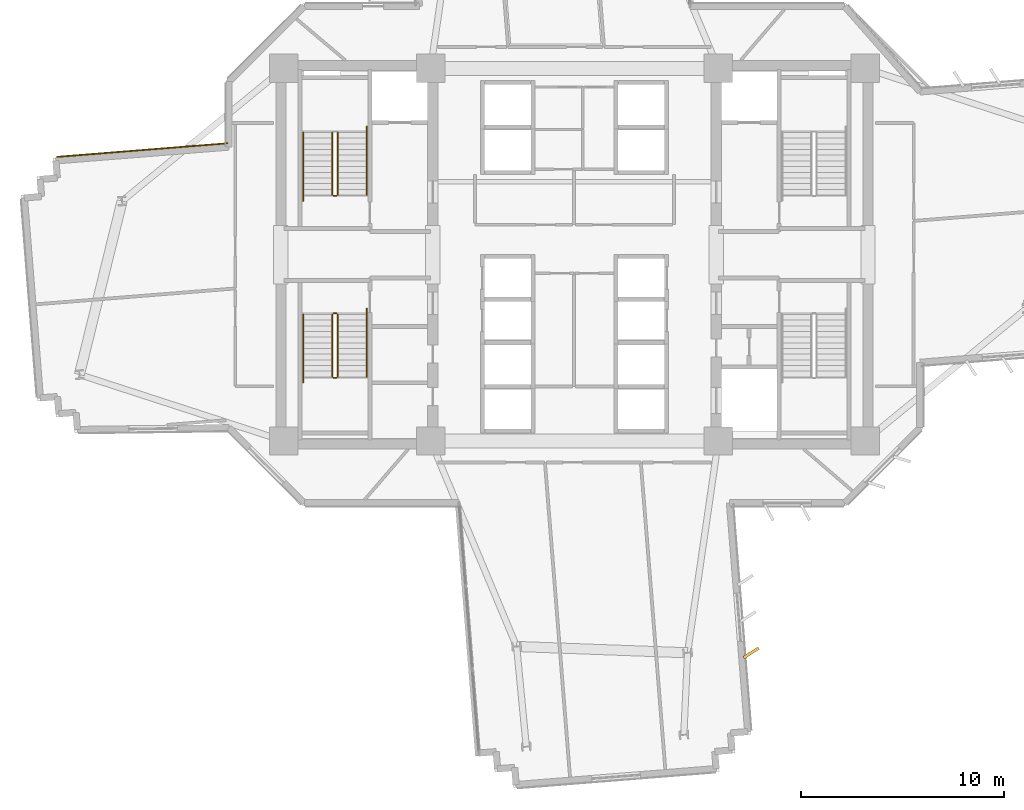
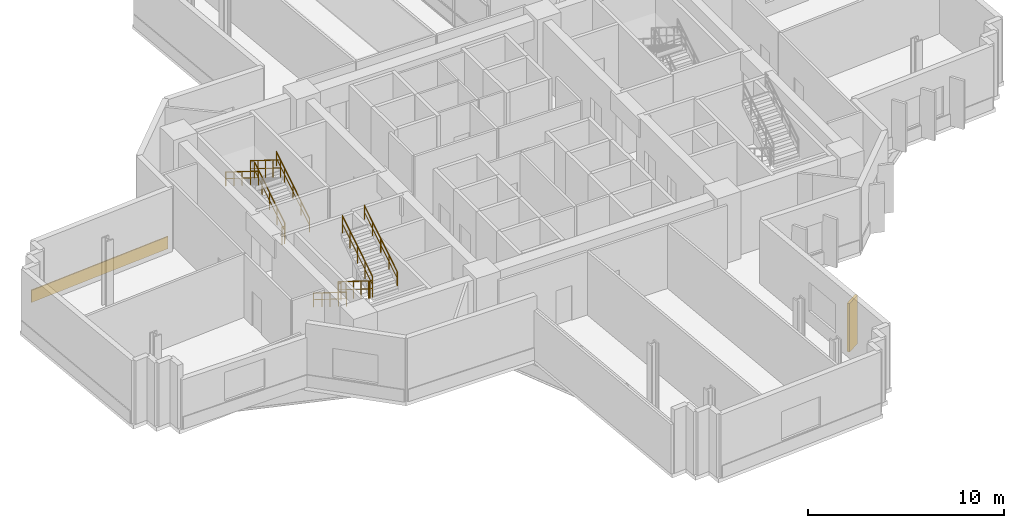
# One storey, part 12 of 15: 11 railings, 2 coverings.
"""IFC4 building model written with IfcOpenShell, lengths in metres."""

from ifc_helpers import new_model, si_unit, direction, frame, origin, origin_2d, place, context, subcontext, project, spatial, rectangle, extrude, source, transform, mapped, material, layer, layer_set, type_object, element, save


model = new_model("IFC4")

# Units and contexts
model_context = context("Model", 3, precision=1e-05, world=origin(), true_north=direction((0.0, 1.0)))
body_context = subcontext(model_context, "Body", "Model", "MODEL_VIEW")
ifc_project = project(units=[si_unit("LENGTHUNIT", "METRE"), si_unit("AREAUNIT", "SQUARE_METRE"), si_unit("VOLUMEUNIT", "CUBIC_METRE"), si_unit("PLANEANGLEUNIT", "RADIAN"), si_unit("MASSUNIT", "GRAM", prefix="KILO")], contexts=[model_context])

# Site, building, storey
site_placement = place(None, origin())
site = spatial("IfcSite", under=ifc_project, at=site_placement, CompositionType="ELEMENT")
building_placement = place(site_placement, origin())
building = spatial("IfcBuilding", under=site, at=building_placement, Name="Zahravan Cultural Tower", CompositionType="ELEMENT")
storey_placement = place(building_placement, frame((0.0, 0.0, 87.89990234375)))
storey = spatial("IfcBuildingStorey", under=building, at=storey_placement, Name="L19", CompositionType="ELEMENT", Elevation=87.89990234375)

# Railings
ifc_material_1 = material(Name="Steel ASTM A572 Grade 50", Category="steel")
railing_type_1 = type_object("IfcRailingType", Name="RL-STAIR-GRD1150", PredefinedType="BALUSTRADE", material=ifc_material_1)
railing_1_placement = place(storey_placement, frame((24.300048828125, 29.949951171875, 0.175048828125)))
element("IfcRailing", 1, at=railing_1_placement, inside=storey, type_object=railing_type_1, Name="L19 ST-W1 stair guard 1", PredefinedType="BALUSTRADE", context=body_context, shape_type="SweptSolid", body=[
    extrude(rectangle(XDim=0.05, YDim=0.05, at=origin_2d()), frame((0.0, 0.0, 1.0751953125), z_axis=(0.0, 0.847998304005, 0.529998940003), x_axis=(-1.0, 0.0, 0.0)), (0.0, 0.0, 1.0), 3.632080078125),
    extrude(rectangle(XDim=0.032, YDim=0.032, at=origin_2d()), frame((0.0, 0.0, 0.572021484375), z_axis=(0.0, 0.847998304005, 0.529998940003), x_axis=(-1.0, 0.0, 0.0)), (0.0, 0.0, 1.0), 3.632080078125),
    extrude(rectangle(XDim=0.04, YDim=0.04, at=origin_2d()), origin(), (0.0, 0.0, 1.0), 1.10009765625),
    extrude(rectangle(XDim=0.04, YDim=0.04, at=origin_2d()), frame((0.0, 0.77001953125, 0.481201171875)), (0.0, 0.0, 1.0), 1.10009765625),
    extrude(rectangle(XDim=0.04, YDim=0.04, at=origin_2d()), frame((0.0, 1.5400390625, 0.96240234375)), (0.0, 0.0, 1.0), 1.10009765625),
    extrude(rectangle(XDim=0.04, YDim=0.04, at=origin_2d()), frame((0.0, 2.31005859375, 1.44384765625)), (0.0, 0.0, 1.0), 1.10009765625),
    extrude(rectangle(XDim=0.04, YDim=0.04, at=origin_2d()), frame((0.0, 3.080078125, 1.925048828125)), (0.0, 0.0, 1.0), 1.10009765625),
])
railing_2_placement = place(storey_placement, frame((24.050048828125, 33.030029296875, 2.275146484375)))
element("IfcRailing", 2, at=railing_2_placement, inside=storey, type_object=railing_type_1, Name="L19 ST-W1 stair guard 3", PredefinedType="BALUSTRADE", context=body_context, shape_type="SweptSolid", body=[
    extrude(rectangle(XDim=0.05, YDim=0.05, at=origin_2d()), frame((0.0, 0.0, 1.0751953125), z_axis=(0.0, -0.847998304005, 0.529998940003), x_axis=(1.0, 0.0, 0.0)), (0.0, 0.0, 1.0), 3.632080078125),
    extrude(rectangle(XDim=0.032, YDim=0.032, at=origin_2d()), frame((0.0, 0.0, 0.572021484375), z_axis=(0.0, -0.847998304005, 0.529998940003), x_axis=(1.0, 0.0, 0.0)), (0.0, 0.0, 1.0), 3.632080078125),
    extrude(rectangle(XDim=0.04, YDim=0.04, at=origin_2d()), origin(), (0.0, 0.0, 1.0), 1.10009765625),
    extrude(rectangle(XDim=0.04, YDim=0.04, at=origin_2d()), frame((0.0, -0.77001953125, 0.481201171875)), (0.0, 0.0, 1.0), 1.10009765625),
    extrude(rectangle(XDim=0.04, YDim=0.04, at=origin_2d()), frame((0.0, -1.5400390625, 0.96240234375)), (0.0, 0.0, 1.0), 1.10009765625),
    extrude(rectangle(XDim=0.04, YDim=0.04, at=origin_2d()), frame((0.0, -2.31005859375, 1.44384765625)), (0.0, 0.0, 1.0), 1.10009765625),
    extrude(rectangle(XDim=0.04, YDim=0.04, at=origin_2d()), frame((0.0, -3.080078125, 1.925048828125)), (0.0, 0.0, 1.0), 1.10009765625),
])
railing_3_placement = place(storey_placement, frame((24.25, 29.89990234375, 0.0)))
element("IfcRailing", 3, at=railing_3_placement, inside=storey, type_object=railing_type_1, Name="L19 ST-W1 stair guard 4", PredefinedType="BALUSTRADE", context=body_context, shape_type="SweptSolid", body=[
    extrude(rectangle(XDim=0.05, YDim=0.05, at=origin_2d()), frame((0.0, 0.0, 1.0751953125), z_axis=(-1.0, 0.0, 0.0), x_axis=(0.0, -1.0, 0.0)), (0.0, 0.0, 1.0), 0.14990234375),
    extrude(rectangle(XDim=0.032, YDim=0.032, at=origin_2d()), frame((0.0, 0.0, 0.572021484375), z_axis=(-1.0, 0.0, 0.0), x_axis=(0.0, -1.0, 0.0)), (0.0, 0.0, 1.0), 0.14990234375),
    extrude(rectangle(XDim=0.04, YDim=0.04, at=origin_2d()), origin(), (0.0, 0.0, 1.0), 1.10009765625),
    extrude(rectangle(XDim=0.04, YDim=0.04, at=origin_2d()), frame((-0.14990234375, 0.0, 0.0)), (0.0, 0.0, 1.0), 1.10009765625),
])
railing_4_placement = place(storey_placement, frame((24.050048828125, 24.050048828125, 0.175048828125)))
element("IfcRailing", 4, at=railing_4_placement, inside=storey, type_object=railing_type_1, Name="L19 ST-W2 stair guard 1", PredefinedType="BALUSTRADE", context=body_context, shape_type="SweptSolid", body=[
    extrude(rectangle(XDim=0.05, YDim=0.05, at=origin_2d()), frame((0.0, 0.0, 1.0751953125), z_axis=(0.0, -0.847998304005, 0.529998940003), x_axis=(1.0, 0.0, 0.0)), (0.0, 0.0, 1.0), 3.632080078125),
    extrude(rectangle(XDim=0.032, YDim=0.032, at=origin_2d()), frame((0.0, 0.0, 0.572021484375), z_axis=(0.0, -0.847998304005, 0.529998940003), x_axis=(1.0, 0.0, 0.0)), (0.0, 0.0, 1.0), 3.632080078125),
    extrude(rectangle(XDim=0.04, YDim=0.04, at=origin_2d()), origin(), (0.0, 0.0, 1.0), 1.10009765625),
    extrude(rectangle(XDim=0.04, YDim=0.04, at=origin_2d()), frame((0.0, -0.77001953125, 0.481201171875)), (0.0, 0.0, 1.0), 1.10009765625),
    extrude(rectangle(XDim=0.04, YDim=0.04, at=origin_2d()), frame((0.0, -1.5400390625, 0.96240234375)), (0.0, 0.0, 1.0), 1.10009765625),
    extrude(rectangle(XDim=0.04, YDim=0.04, at=origin_2d()), frame((0.0, -2.31005859375, 1.44384765625)), (0.0, 0.0, 1.0), 1.10009765625),
    extrude(rectangle(XDim=0.04, YDim=0.04, at=origin_2d()), frame((0.0, -3.080078125, 1.925048828125)), (0.0, 0.0, 1.0), 1.10009765625),
])
railing_5_placement = place(storey_placement, frame((24.10009765625, 20.919921875, 2.10009765625)))
element("IfcRailing", 5, at=railing_5_placement, inside=storey, type_object=railing_type_1, Name="L19 ST-W2 stair guard 2", PredefinedType="BALUSTRADE", context=body_context, shape_type="SweptSolid", body=[
    extrude(rectangle(XDim=0.05, YDim=0.05, at=origin_2d()), frame((0.0, 0.0, 1.0751953125), z_axis=(1.0, 0.0, 0.0), x_axis=(0.0, 1.0, 0.0)), (0.0, 0.0, 1.0), 0.14990234375),
    extrude(rectangle(XDim=0.032, YDim=0.032, at=origin_2d()), frame((0.0, 0.0, 0.572021484375), z_axis=(1.0, 0.0, 0.0), x_axis=(0.0, 1.0, 0.0)), (0.0, 0.0, 1.0), 0.14990234375),
    extrude(rectangle(XDim=0.04, YDim=0.04, at=origin_2d()), origin(), (0.0, 0.0, 1.0), 1.10009765625),
    extrude(rectangle(XDim=0.04, YDim=0.04, at=origin_2d()), frame((0.14990234375, 0.0, 0.0)), (0.0, 0.0, 1.0), 1.10009765625),
])
railing_6_placement = place(storey_placement, frame((24.300048828125, 20.969970703125, 2.275146484375)))
element("IfcRailing", 6, at=railing_6_placement, inside=storey, type_object=railing_type_1, Name="L19 ST-W2 stair guard 3", PredefinedType="BALUSTRADE", context=body_context, shape_type="SweptSolid", body=[
    extrude(rectangle(XDim=0.05, YDim=0.05, at=origin_2d()), frame((0.0, 0.0, 1.0751953125), z_axis=(0.0, 0.847998304005, 0.529998940003), x_axis=(-1.0, 0.0, 0.0)), (0.0, 0.0, 1.0), 3.632080078125),
    extrude(rectangle(XDim=0.032, YDim=0.032, at=origin_2d()), frame((0.0, 0.0, 0.572021484375), z_axis=(0.0, 0.847998304005, 0.529998940003), x_axis=(-1.0, 0.0, 0.0)), (0.0, 0.0, 1.0), 3.632080078125),
    extrude(rectangle(XDim=0.04, YDim=0.04, at=origin_2d()), origin(), (0.0, 0.0, 1.0), 1.10009765625),
    extrude(rectangle(XDim=0.04, YDim=0.04, at=origin_2d()), frame((0.0, 0.77001953125, 0.481201171875)), (0.0, 0.0, 1.0), 1.10009765625),
    extrude(rectangle(XDim=0.04, YDim=0.04, at=origin_2d()), frame((0.0, 1.5400390625, 0.96240234375)), (0.0, 0.0, 1.0), 1.10009765625),
    extrude(rectangle(XDim=0.04, YDim=0.04, at=origin_2d()), frame((0.0, 2.31005859375, 1.44384765625)), (0.0, 0.0, 1.0), 1.10009765625),
    extrude(rectangle(XDim=0.04, YDim=0.04, at=origin_2d()), frame((0.0, 3.080078125, 1.925048828125)), (0.0, 0.0, 1.0), 1.10009765625),
])
railing_7_placement = place(storey_placement, frame((24.10009765625, 24.10009765625, 0.0)))
element("IfcRailing", 7, at=railing_7_placement, inside=storey, type_object=railing_type_1, Name="L19 ST-W2 stair guard 4", PredefinedType="BALUSTRADE", context=body_context, shape_type="SweptSolid", body=[
    extrude(rectangle(XDim=0.05, YDim=0.05, at=origin_2d()), frame((0.0, 0.0, 1.0751953125), z_axis=(1.0, 0.0, 0.0), x_axis=(0.0, 1.0, 0.0)), (0.0, 0.0, 1.0), 0.14990234375),
    extrude(rectangle(XDim=0.032, YDim=0.032, at=origin_2d()), frame((0.0, 0.0, 0.572021484375), z_axis=(1.0, 0.0, 0.0), x_axis=(0.0, 1.0, 0.0)), (0.0, 0.0, 1.0), 0.14990234375),
    extrude(rectangle(XDim=0.04, YDim=0.04, at=origin_2d()), origin(), (0.0, 0.0, 1.0), 1.10009765625),
    extrude(rectangle(XDim=0.04, YDim=0.04, at=origin_2d()), frame((0.14990234375, 0.0, 0.0)), (0.0, 0.0, 1.0), 1.10009765625),
])
railing_type_2 = type_object("IfcRailingType", Name="RL-STAIR-HR900", PredefinedType="HANDRAIL", material=ifc_material_1)
railing_8_placement = place(storey_placement, frame((25.75, 29.949951171875, 0.175048828125)))
element("IfcRailing", 8, at=railing_8_placement, inside=storey, type_object=railing_type_2, Name="L19 ST-W1 stair handrail 1", PredefinedType="HANDRAIL", context=body_context, shape_type="SweptSolid", body=[
    extrude(rectangle(XDim=0.05, YDim=0.05, at=origin_2d()), frame((0.0, 0.0, 0.875), z_axis=(0.0, 0.847994842521, 0.530004478338), x_axis=(-1.0, 0.0, 0.0)), (0.0, 0.0, 1.0), 3.96240234375),
    extrude(rectangle(XDim=0.032, YDim=0.032, at=origin_2d()), frame((0.0, 0.0, 0.468017578125), z_axis=(0.0, 0.847994842521, 0.530004478338), x_axis=(-1.0, 0.0, 0.0)), (0.0, 0.0, 1.0), 3.96240234375),
    extrude(rectangle(XDim=0.04, YDim=0.04, at=origin_2d()), origin(), (0.0, 0.0, 1.0), 0.89990234375),
    extrude(rectangle(XDim=0.04, YDim=0.04, at=origin_2d()), frame((0.0, 0.840087890625, 0.52490234375)), (0.0, 0.0, 1.0), 0.89990234375),
    extrude(rectangle(XDim=0.04, YDim=0.04, at=origin_2d()), frame((0.0, 1.68017578125, 1.050048828125)), (0.0, 0.0, 1.0), 0.89990234375),
    extrude(rectangle(XDim=0.04, YDim=0.04, at=origin_2d()), frame((0.0, 2.52001953125, 1.5751953125)), (0.0, 0.0, 1.0), 0.89990234375),
    extrude(rectangle(XDim=0.04, YDim=0.04, at=origin_2d()), frame((0.0, 3.360107421875, 2.10009765625)), (0.0, 0.0, 1.0), 0.89990234375),
])
railing_9_placement = place(storey_placement, frame((22.60009765625, 33.030029296875, 2.275146484375)))
element("IfcRailing", 9, at=railing_9_placement, inside=storey, type_object=railing_type_2, Name="L19 ST-W1 stair handrail 2", PredefinedType="HANDRAIL", context=body_context, shape_type="SweptSolid", body=[
    extrude(rectangle(XDim=0.05, YDim=0.05, at=origin_2d()), frame((0.0, 0.0, 0.875), z_axis=(0.0, -0.848022534174, 0.529960169762), x_axis=(1.0, 0.0, 0.0)), (0.0, 0.0, 1.0), 3.96240234375),
    extrude(rectangle(XDim=0.032, YDim=0.032, at=origin_2d()), frame((0.0, 0.0, 0.468017578125), z_axis=(0.0, -0.848022534174, 0.529960169762), x_axis=(1.0, 0.0, 0.0)), (0.0, 0.0, 1.0), 3.96240234375),
    extrude(rectangle(XDim=0.04, YDim=0.04, at=origin_2d()), origin(), (0.0, 0.0, 1.0), 0.89990234375),
    extrude(rectangle(XDim=0.04, YDim=0.04, at=origin_2d()), frame((0.0, -0.840087890625, 0.52490234375)), (0.0, 0.0, 1.0), 0.89990234375),
    extrude(rectangle(XDim=0.04, YDim=0.04, at=origin_2d()), frame((0.0, -1.68017578125, 1.0498046875)), (0.0, 0.0, 1.0), 0.89990234375),
    extrude(rectangle(XDim=0.04, YDim=0.04, at=origin_2d()), frame((0.0, -2.52001953125, 1.574951171875)), (0.0, 0.0, 1.0), 0.89990234375),
    extrude(rectangle(XDim=0.04, YDim=0.04, at=origin_2d()), frame((0.0, -3.360107421875, 2.099853515625)), (0.0, 0.0, 1.0), 0.89990234375),
])
railing_10_placement = place(storey_placement, frame((22.60009765625, 24.050048828125, 0.175048828125)))
element("IfcRailing", 10, at=railing_10_placement, inside=storey, type_object=railing_type_2, Name="L19 ST-W2 stair handrail 1", PredefinedType="HANDRAIL", context=body_context, shape_type="SweptSolid", body=[
    extrude(rectangle(XDim=0.05, YDim=0.05, at=origin_2d()), frame((0.0, 0.0, 0.875), z_axis=(0.0, -0.847994842521, 0.530004478338), x_axis=(1.0, 0.0, 0.0)), (0.0, 0.0, 1.0), 3.96240234375),
    extrude(rectangle(XDim=0.032, YDim=0.032, at=origin_2d()), frame((0.0, 0.0, 0.468017578125), z_axis=(0.0, -0.847994842521, 0.530004478338), x_axis=(1.0, 0.0, 0.0)), (0.0, 0.0, 1.0), 3.96240234375),
    extrude(rectangle(XDim=0.04, YDim=0.04, at=origin_2d()), origin(), (0.0, 0.0, 1.0), 0.89990234375),
    extrude(rectangle(XDim=0.04, YDim=0.04, at=origin_2d()), frame((0.0, -0.840087890625, 0.52490234375)), (0.0, 0.0, 1.0), 0.89990234375),
    extrude(rectangle(XDim=0.04, YDim=0.04, at=origin_2d()), frame((0.0, -1.68017578125, 1.050048828125)), (0.0, 0.0, 1.0), 0.89990234375),
    extrude(rectangle(XDim=0.04, YDim=0.04, at=origin_2d()), frame((0.0, -2.52001953125, 1.5751953125)), (0.0, 0.0, 1.0), 0.89990234375),
    extrude(rectangle(XDim=0.04, YDim=0.04, at=origin_2d()), frame((0.0, -3.360107421875, 2.10009765625)), (0.0, 0.0, 1.0), 0.89990234375),
])
railing_11_placement = place(storey_placement, frame((25.75, 20.969970703125, 2.275146484375)))
element("IfcRailing", 11, at=railing_11_placement, inside=storey, type_object=railing_type_2, Name="L19 ST-W2 stair handrail 2", PredefinedType="HANDRAIL", context=body_context, shape_type="SweptSolid", body=[
    extrude(rectangle(XDim=0.05, YDim=0.05, at=origin_2d()), frame((0.0, 0.0, 0.875), z_axis=(0.0, 0.848022534174, 0.529960169762), x_axis=(-1.0, 0.0, 0.0)), (0.0, 0.0, 1.0), 3.96240234375),
    extrude(rectangle(XDim=0.032, YDim=0.032, at=origin_2d()), frame((0.0, 0.0, 0.468017578125), z_axis=(0.0, 0.848022534174, 0.529960169762), x_axis=(-1.0, 0.0, 0.0)), (0.0, 0.0, 1.0), 3.96240234375),
    extrude(rectangle(XDim=0.04, YDim=0.04, at=origin_2d()), origin(), (0.0, 0.0, 1.0), 0.89990234375),
    extrude(rectangle(XDim=0.04, YDim=0.04, at=origin_2d()), frame((0.0, 0.840087890625, 0.52490234375)), (0.0, 0.0, 1.0), 0.89990234375),
    extrude(rectangle(XDim=0.04, YDim=0.04, at=origin_2d()), frame((0.0, 1.68017578125, 1.0498046875)), (0.0, 0.0, 1.0), 0.89990234375),
    extrude(rectangle(XDim=0.04, YDim=0.04, at=origin_2d()), frame((0.0, 2.52001953125, 1.574951171875)), (0.0, 0.0, 1.0), 0.89990234375),
    extrude(rectangle(XDim=0.04, YDim=0.04, at=origin_2d()), frame((0.0, 3.360107421875, 2.099853515625)), (0.0, 0.0, 1.0), 0.89990234375),
])

# Coverings
ifc_material_2 = material(Name="Terracotta ceramic cladding", Category="masonry")
ifc_layer = layer(ifc_material_2, 0.06005859375)
ifc_layer_set = layer_set([ifc_layer], Name="Terracotta ceramic cladding")
covering_type = type_object("IfcCoveringType", Name="COV-CLAD-TC60", PredefinedType="CLADDING", material=ifc_layer_set)
shared_shape_1 = source(origin(), body_context, "Body", "SweptSolid", [
    extrude(rectangle(XDim=0.8798828125, YDim=0.139892578125, at=origin_2d()), origin(), (0.0, 0.0, 1.0), 3.030029296875),
])
covering_1_placement = place(storey_placement, frame((44.720947265625, 7.3359375, 0.05029296875), z_axis=(0.0, 0.0, 1.0), x_axis=(0.842828324641, 0.538182511035, 0.0)))
element("IfcCovering", 12, at=covering_1_placement, inside=storey, type_object=covering_type, Name="L19 Herringbone Terracotta Fin 16", PredefinedType="CLADDING", context=body_context, shape_type="MappedRepresentation", body=[
    mapped(shared_shape_1, transform((0.0, 0.0, 0.0), x_axis=(1.0, 0.0, 0.0), y_axis=(0.0, 1.0, 0.0), z_axis=(0.0, 0.0, 1.0), scale=1.0)),
])
shared_shape_2 = source(origin(), body_context, "Body", "SweptSolid", [
    extrude(rectangle(XDim=8.476806640625, YDim=0.06005859375, at=origin_2d()), origin(), (0.0, 0.0, 1.0), 0.760009765625),
])
covering_2_placement = place(storey_placement, frame((14.650390625, 32.1640625, 0.02001953125), z_axis=(0.0, 0.0, 1.0), x_axis=(0.996834624954, 0.079503021908, 0.0)))
element("IfcCovering", 13, at=covering_2_placement, inside=storey, type_object=covering_type, Name="L19 Terracotta Spandrel Cladding 37", PredefinedType="CLADDING", context=body_context, shape_type="MappedRepresentation", body=[
    mapped(shared_shape_2, transform((0.0, 0.0, 0.0), x_axis=(1.0, 0.0, 0.0), y_axis=(0.0, 1.0, 0.0), z_axis=(0.0, 0.0, 1.0), scale=1.0)),
])

save(model, "model.ifc")
